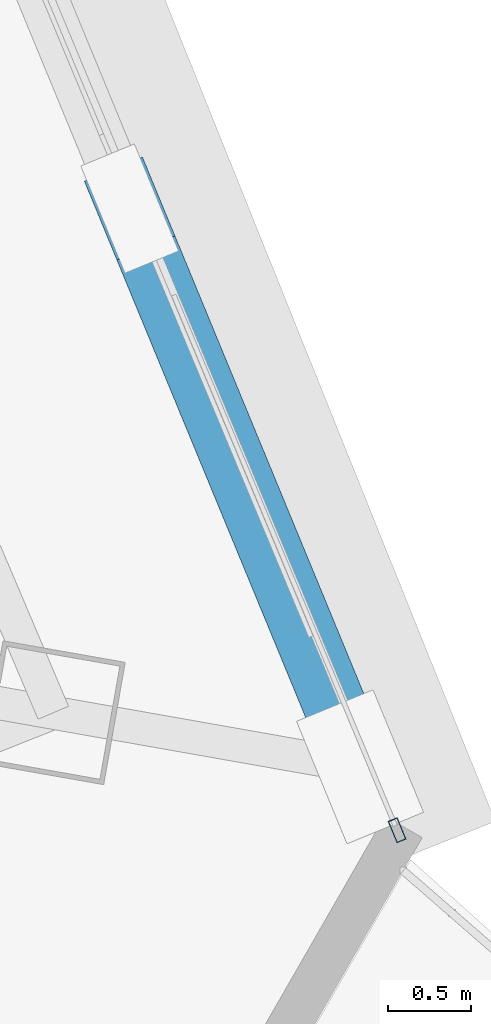
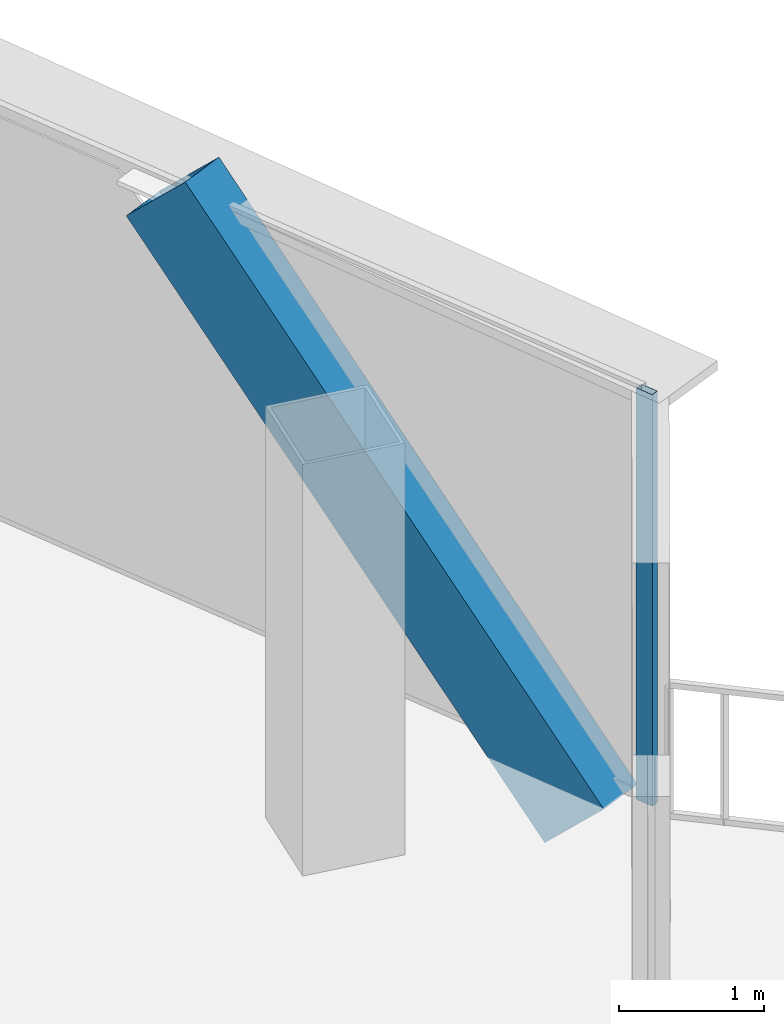
# One storey, part 15 of 35: 2 members, 1 element without a shape of its own.
"""IFC4 building model written with IfcOpenShell, lengths in metres."""

import ifcopenshell
import ifcopenshell.guid

model = None  # the IFC model being written
_history = None  # IfcOwnerHistory: only IFC2X3 demands one
_inside = {}  # id of a spatial element -> (the spatial element, [elements in it])
_under = {}  # id of a project, library or spatial element -> (it, [spatial elements below it])
_declared = {}  # id of a project -> (the project, [libraries it declares])
_typed = {}  # id of a type object -> (the type object, [elements of that type])
_made_of = {}  # id of a material, layer set ... -> (it, [elements and type objects made of it])


def new_model(schema):
    """Start an empty IFC model of exactly this schema.

    Asked for "IFC4X3", IfcOpenShell would pick the latest addendum, in which some entities
    have other attributes; the version numbers below select the first issue.
    IFC2X3 requires an IfcOwnerHistory on every rooted entity: one is made here for all.
    """
    global model, _history
    if schema == "IFC4X3":
        model = ifcopenshell.file(schema_version=(4, 3, 0, 0))
    else:
        model = ifcopenshell.file(schema=schema)
    _inside.clear()
    _under.clear()
    _declared.clear()
    _typed.clear()
    _made_of.clear()
    _history = None
    if model.schema == "IFC2X3":
        org = make("IfcOrganization", Name="unknown")
        user = make(
            "IfcPersonAndOrganization",
            ThePerson=make("IfcPerson", FamilyName="unknown"),
            TheOrganization=org,
        )
        app = make(
            "IfcApplication",
            ApplicationDeveloper=org,
            Version="unknown",
            ApplicationFullName="unknown",
            ApplicationIdentifier="unknown",
        )
        _history = make(
            "IfcOwnerHistory",
            OwningUser=user,
            OwningApplication=app,
            ChangeAction="ADDED",
            CreationDate=0,
        )
    return model


def make(cls, **values):
    """One entity of the class cls with the attributes given. An attribute that is None is left unset."""
    return model.create_entity(
        cls, **{name: value for name, value in values.items() if value is not None}
    )


def rooted(cls, **values):
    """An entity with a GlobalId (a new one), such as an element, a storey or a relation."""
    return make(cls, GlobalId=ifcopenshell.guid.new(), OwnerHistory=_history, **values)


def si_unit(unit_type, name, prefix=None):
    """IfcSIUnit, for example si_unit("LENGTHUNIT", "METRE", prefix="MILLI")."""
    return make("IfcSIUnit", UnitType=unit_type, Prefix=prefix, Name=name)


def assignment(units):
    """IfcUnitAssignment: the units of a project."""
    return None if units is None else make("IfcUnitAssignment", Units=units)


def point(xyz):
    """IfcCartesianPoint."""
    return None if xyz is None else make("IfcCartesianPoint", Coordinates=xyz)


def direction(xyz):
    """IfcDirection."""
    return None if xyz is None else make("IfcDirection", DirectionRatios=xyz)


def frame(location, z_axis=None, x_axis=None):
    """IfcAxis2Placement3D, a coordinate frame: its origin and axes. An axis left out is left unset."""
    return make(
        "IfcAxis2Placement3D",
        Location=point(location),
        Axis=direction(z_axis),
        RefDirection=direction(x_axis),
    )


def frame_2d(location, x_axis=None):
    """IfcAxis2Placement2D, a coordinate frame in the plane: its origin and x axis."""
    return make(
        "IfcAxis2Placement2D", Location=point(location), RefDirection=direction(x_axis)
    )


def origin():
    """The frame at (0, 0, 0) with its axes left unset."""
    return frame((0.0, 0.0, 0.0))


def origin_2d():
    """The frame at (0, 0) in the plane with its x axis left unset."""
    return frame_2d((0.0, 0.0))


def place(relative_to, where):
    """IfcLocalPlacement: puts the frame where relative to a parent placement (None: the world)."""
    return make(
        "IfcLocalPlacement", PlacementRelTo=relative_to, RelativePlacement=where
    )


def context(
    kind, dimensions, precision=None, world=None, true_north=None, identifier=None
):
    """IfcGeometricRepresentationContext, for example the 3D "Model" context."""
    return make(
        "IfcGeometricRepresentationContext",
        ContextIdentifier=identifier,
        ContextType=kind,
        CoordinateSpaceDimension=dimensions,
        Precision=precision,
        WorldCoordinateSystem=world,
        TrueNorth=true_north,
    )


def subcontext(parent, identifier, kind, view, scale=None):
    """IfcGeometricRepresentationSubContext, for example "Body" below "Model"."""
    return make(
        "IfcGeometricRepresentationSubContext",
        ContextIdentifier=identifier,
        ContextType=kind,
        ParentContext=parent,
        TargetScale=scale,
        TargetView=view,
    )


def project(units=None, contexts=None):
    """IfcProject with its units and contexts."""
    return rooted(
        "IfcProject",
        Name="project",
        RepresentationContexts=contexts,
        UnitsInContext=assignment(units),
    )


def spatial(cls, under=None, at=None, **own):
    """A site, building, storey or space (cls), placed at a placement, below another one or the project."""
    s = rooted(cls, ObjectPlacement=at, **own)
    if under is not None:
        _under.setdefault(under.id(), (under, []))[1].append(s)
    return s


def profile(cls, at=None, kind="AREA", **sizes):
    """A parametric profile (cls). Its sizes go by their IFC names, for example OverallWidth=200.0."""
    return make(cls, ProfileType=kind, Position=at, **sizes)


def hollow_rectangle(**sizes):
    """IfcRectangleHollowProfileDef."""
    return profile("IfcRectangleHollowProfileDef", **sizes)


def extrude(swept, where, along, depth):
    """IfcExtrudedAreaSolid: the profile swept, set in the frame where, extruded along a direction by depth."""
    return make(
        "IfcExtrudedAreaSolid",
        SweptArea=swept,
        Position=where,
        ExtrudedDirection=direction(along),
        Depth=depth,
    )


def shape(context_of_items, identifier, shape_type, items):
    """IfcShapeRepresentation: the items that make up one representation, for example the "Body"."""
    return make(
        "IfcShapeRepresentation",
        ContextOfItems=context_of_items,
        RepresentationIdentifier=identifier,
        RepresentationType=shape_type,
        Items=items,
    )


def source(mapping_origin, context_of_items, identifier, shape_type, items):
    """IfcRepresentationMap: a shape defined once, which mapped items show again and again."""
    return make(
        "IfcRepresentationMap",
        MappingOrigin=mapping_origin,
        MappedRepresentation=shape(context_of_items, identifier, shape_type, items),
    )


def transform(
    local_origin,
    x_axis=None,
    y_axis=None,
    z_axis=None,
    scale=None,
    scale2=None,
    scale3=None,
    uniform=True,
):
    """IfcCartesianTransformationOperator3D, or its non-uniform kind. x_axis, y_axis, z_axis: its Axis1, 2, 3."""
    if uniform:
        return make(
            "IfcCartesianTransformationOperator3D",
            Axis1=direction(x_axis),
            Axis2=direction(y_axis),
            LocalOrigin=point(local_origin),
            Scale=scale,
            Axis3=direction(z_axis),
        )
    return make(
        "IfcCartesianTransformationOperator3DnonUniform",
        Axis1=direction(x_axis),
        Axis2=direction(y_axis),
        LocalOrigin=point(local_origin),
        Scale=scale,
        Axis3=direction(z_axis),
        Scale2=scale2,
        Scale3=scale3,
    )


def mapped(mapping_source, mapping_target):
    """IfcMappedItem: shows the shape of a source again, moved by a transform."""
    return make(
        "IfcMappedItem", MappingSource=mapping_source, MappingTarget=mapping_target
    )


def material(Name=None, Category=None):
    """IfcMaterial."""
    return make("IfcMaterial", Name=Name, Category=Category)


def layer(
    of_material, thickness, ventilated=None, Name=None, Category=None, Priority=None
):
    """IfcMaterialLayer: one layer of a wall or slab, of a material (None: an air gap)."""
    return make(
        "IfcMaterialLayer",
        Material=of_material,
        LayerThickness=thickness,
        IsVentilated=ventilated,
        Name=Name,
        Category=Category,
        Priority=Priority,
    )


def layer_set(layers, Name=None):
    """IfcMaterialLayerSet."""
    return make("IfcMaterialLayerSet", MaterialLayers=layers, LayerSetName=Name)


def material_profile(
    of_material, cross_section, Name=None, Category=None, Priority=None
):
    """IfcMaterialProfile: a cross section and its material."""
    return make(
        "IfcMaterialProfile",
        Name=Name,
        Material=of_material,
        Profile=cross_section,
        Priority=Priority,
        Category=Category,
    )


def profile_set(profiles, Name=None, composite=None):
    """IfcMaterialProfileSet."""
    return make(
        "IfcMaterialProfileSet",
        Name=Name,
        MaterialProfiles=profiles,
        CompositeProfile=composite,
    )


def made_of(thing, what):
    """Note that an element or type object is made of a material, layer set ...; save() writes the relation."""
    if what is not None:
        _made_of.setdefault(what.id(), (what, []))[1].append(thing)
    return thing


def type_object(cls, material=None, **own):
    """A type object (cls), such as IfcWallType, which elements share."""
    return made_of(rooted(cls, **own), material)


def element(
    cls,
    number,
    at=None,
    inside=None,
    cuts=None,
    type_object=None,
    material=None,
    context=None,
    identifier="Body",
    shape_type=None,
    held_by="IfcProductDefinitionShape",
    body=None,
    shapes=None,
    **own,
):
    """One element of the class cls, such as IfcWall. Its Tag is "e" and its number.

    at: its placement. inside: the storey or other place that contains it. cuts: it is an
    opening in that element (IfcRelVoidsElement). A single representation is given by context,
    identifier, shape_type and body (its items); several are given by shapes. held_by: the class
    of the entity that holds the representations. save() writes the other relations.
    """
    e = rooted(cls, Tag="e%d" % number, ObjectPlacement=at, **own)
    if body is not None:
        shapes = [shape(context, identifier, shape_type, body)]
    if shapes is not None:
        e.Representation = make(held_by, Representations=shapes)
    if inside is not None:
        _inside.setdefault(inside.id(), (inside, []))[1].append(e)
    if cuts is not None:
        rooted(
            "IfcRelVoidsElement", RelatingBuildingElement=cuts, RelatedOpeningElement=e
        )
    if type_object is not None:
        _typed.setdefault(type_object.id(), (type_object, []))[1].append(e)
    return made_of(e, material)


def aggregate(whole, parts):
    """IfcRelAggregates: a whole, such as a stair, and the parts it consists of."""
    return rooted("IfcRelAggregates", RelatingObject=whole, RelatedObjects=parts)


def save(model, path):
    """Write the relations noted so far, then the file.

    IfcRelAggregates (storeys below a building ...), IfcRelContainedInSpatialStructure (elements
    in a storey), IfcRelDefinesByType, IfcRelAssociatesMaterial and IfcRelDeclares: one each for
    every whole, place, type object, material and project.
    """
    for whole, parts in _under.values():
        aggregate(whole, parts)
    for where, things in _inside.values():
        rooted(
            "IfcRelContainedInSpatialStructure",
            RelatedElements=things,
            RelatingStructure=where,
        )
    for kind, things in _typed.values():
        rooted("IfcRelDefinesByType", RelatedObjects=things, RelatingType=kind)
    for what, things in _made_of.values():
        rooted("IfcRelAssociatesMaterial", RelatedObjects=things, RelatingMaterial=what)
    for by, libraries in _declared.values():
        rooted("IfcRelDeclares", RelatingContext=by, RelatedDefinitions=libraries)
    model.write(path)


model = new_model("IFC4")

# Units and contexts
model_context = context("Model", 3, precision=1e-05, world=origin(), true_north=direction((0.0, 1.0)))
body_context = subcontext(model_context, "Body", "Model", "MODEL_VIEW")
ifc_project = project(units=[si_unit("LENGTHUNIT", "METRE"), si_unit("AREAUNIT", "SQUARE_METRE"), si_unit("VOLUMEUNIT", "CUBIC_METRE"), si_unit("PLANEANGLEUNIT", "RADIAN"), si_unit("MASSUNIT", "GRAM", prefix="KILO"), si_unit("THERMODYNAMICTEMPERATUREUNIT", "KELVIN"), si_unit("POWERUNIT", "WATT")], contexts=[model_context])

# Site, building, storey
site_placement = place(None, origin())
site = spatial("IfcSite", under=ifc_project, at=site_placement, CompositionType="ELEMENT")
building_placement = place(site_placement, origin())
building = spatial("IfcBuilding", under=site, at=building_placement, Name="Yunzhuo Pagoda Commons", CompositionType="ELEMENT")
storey_placement = place(building_placement, frame((0.0, 0.0, 303.669921875)))
storey = spatial("IfcBuildingStorey", under=building, at=storey_placement, Name="L76", CompositionType="ELEMENT", Elevation=303.669921875)

# Member
ifc_material_1 = material(Name="Structural steel Q355B", Category="steel")
ifc_material_profile_1 = material_profile(ifc_material_1, hollow_rectangle(XDim=0.3798828125, YDim=0.719970703125, WallThickness=0.02001953125, at=origin_2d()), Name="Structural steel Q355B")
ifc_profile_set_1 = profile_set([ifc_material_profile_1], Name="Structural steel Q355B")
member_type_1 = type_object("IfcMemberType", Name="M-DL3 Brace BOX 720x380x20", PredefinedType="BRACE", material=ifc_profile_set_1)
shared_shape_1 = source(origin(), body_context, "Body", "SweptSolid", [
    extrude(hollow_rectangle(XDim=0.3798828125, YDim=0.719970703125, WallThickness=0.02001953125, at=origin_2d()), origin(), (0.0, 0.0, 1.0), 5.217041015625),
])
member_1_placement = place(storey_placement, frame((78.513916015625, 28.319580078125, -0.260009765625), z_axis=(-0.266649685791, 0.64631428755, 0.71496558433), x_axis=(-0.924415889146, -0.38138597758, 0.0)))
element("IfcMember", 1, at=member_1_placement, inside=storey, type_object=member_type_1, Name="L76 facade diamond brace F2.1L", PredefinedType="BRACE", context=body_context, shape_type="MappedRepresentation", body=[
    mapped(shared_shape_1, transform((0.0, 0.0, 0.0), scale=1.0)),
])

# Curtain wall, member
ifc_material_2 = material(Name="Anodized aluminium 6063-T6", Category="aluminium")
ifc_layer = layer(ifc_material_2, 0.139892578125)
ifc_layer_set = layer_set([ifc_layer], Name="Anodized aluminium 6063-T6")
curtain_wall_type = type_object("IfcCurtainWallType", Name="CW-HI High-Zone Ribbon Curtain Wall", PredefinedType="NOTDEFINED", material=ifc_layer_set)
curtain_wall_placement = place(storey_placement, origin())
curtain_wall = element("IfcCurtainWall", 2, at=curtain_wall_placement, inside=storey, type_object=curtain_wall_type, Name="L76 curtain wall CW-L76-F2B2", PredefinedType="NOTDEFINED")
ifc_material_profile_2 = material_profile(ifc_material_2, hollow_rectangle(XDim=0.06005859375, YDim=0.139892578125, WallThickness=0.00341796875, at=origin_2d()), Name="Anodized aluminium 6063-T6")
ifc_profile_set_2 = profile_set([ifc_material_profile_2], Name="Anodized aluminium 6063-T6")
member_type_2 = type_object("IfcMemberType", Name="CW-HI-M Mullion RHS 140x60x3.5", PredefinedType="MULLION", material=ifc_profile_set_2)
shared_shape_2 = source(origin(), body_context, "Body", "SweptSolid", [
    extrude(hollow_rectangle(XDim=0.06005859375, YDim=0.139892578125, WallThickness=0.00341796875, at=origin_2d()), origin(), (0.0, 0.0, 1.0), 3.469970703125),
])
member_2_placement = place(storey_placement, frame((78.73779296875, 27.9365234375, 0.0), z_axis=(0.0, 0.0, 1.0), x_axis=(-0.922876210298, -0.385096741697, 0.0)))
member_2 = element("IfcMember", 3, at=member_2_placement, type_object=member_type_2, Name="CW mullion 1", PredefinedType="MULLION", context=body_context, shape_type="MappedRepresentation", body=[
    mapped(shared_shape_2, transform((0.0, 0.0, 0.0), scale=1.0)),
])
aggregate(curtain_wall, [member_2])

save(model, "model.ifc")
